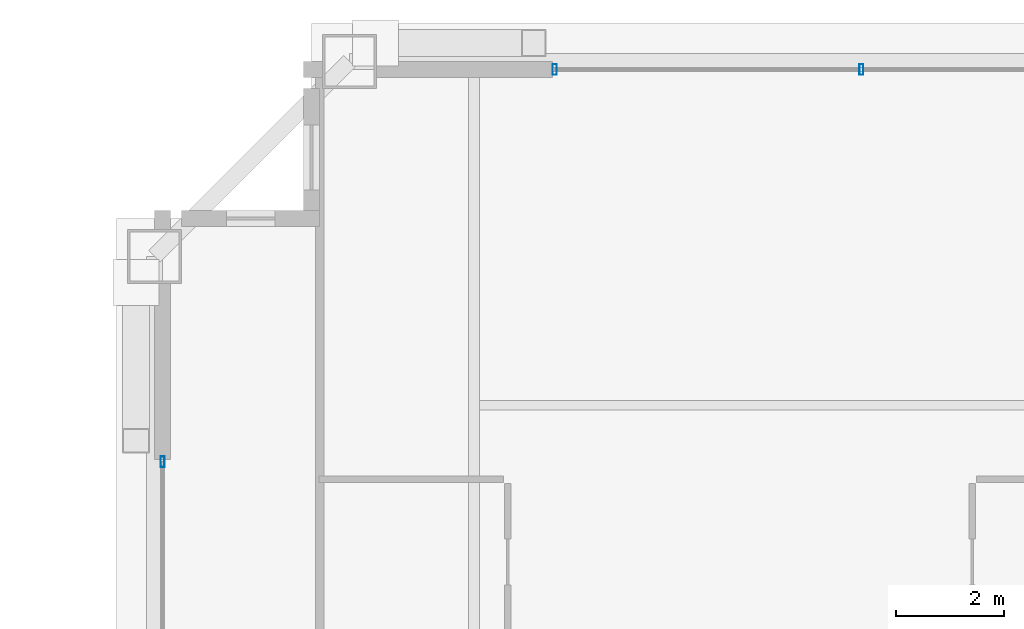
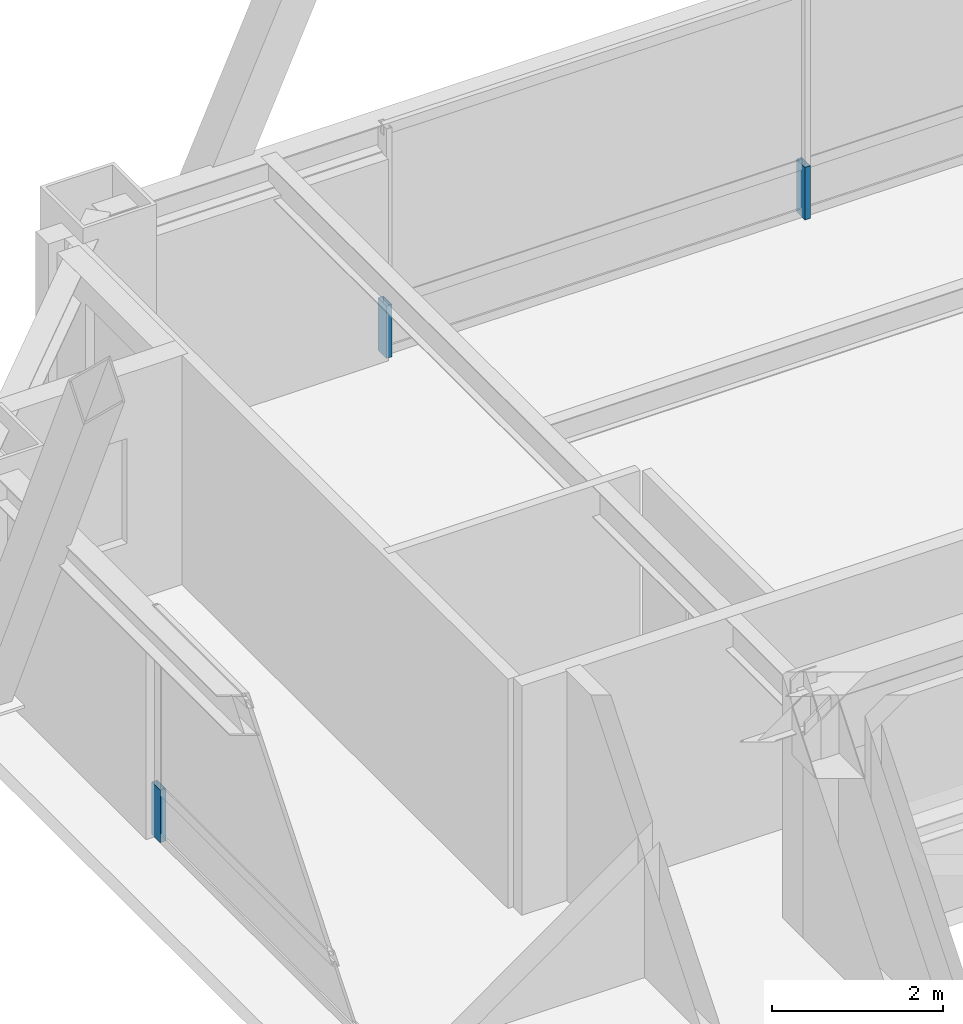
# One storey, part 24 of 33: 3 members, 2 elements without a shape of their own.
"""IFC4 building model written with IfcOpenShell, lengths in metres."""

import ifcopenshell
import ifcopenshell.guid

model = None  # the IFC model being written
_history = None  # IfcOwnerHistory: only IFC2X3 demands one
_inside = {}  # id of a spatial element -> (the spatial element, [elements in it])
_under = {}  # id of a project, library or spatial element -> (it, [spatial elements below it])
_declared = {}  # id of a project -> (the project, [libraries it declares])
_typed = {}  # id of a type object -> (the type object, [elements of that type])
_made_of = {}  # id of a material, layer set ... -> (it, [elements and type objects made of it])


def new_model(schema):
    """Start an empty IFC model of exactly this schema.

    Asked for "IFC4X3", IfcOpenShell would pick the latest addendum, in which some entities
    have other attributes; the version numbers below select the first issue.
    IFC2X3 requires an IfcOwnerHistory on every rooted entity: one is made here for all.
    """
    global model, _history
    if schema == "IFC4X3":
        model = ifcopenshell.file(schema_version=(4, 3, 0, 0))
    else:
        model = ifcopenshell.file(schema=schema)
    _inside.clear()
    _under.clear()
    _declared.clear()
    _typed.clear()
    _made_of.clear()
    _history = None
    if model.schema == "IFC2X3":
        org = make("IfcOrganization", Name="unknown")
        user = make(
            "IfcPersonAndOrganization",
            ThePerson=make("IfcPerson", FamilyName="unknown"),
            TheOrganization=org,
        )
        app = make(
            "IfcApplication",
            ApplicationDeveloper=org,
            Version="unknown",
            ApplicationFullName="unknown",
            ApplicationIdentifier="unknown",
        )
        _history = make(
            "IfcOwnerHistory",
            OwningUser=user,
            OwningApplication=app,
            ChangeAction="ADDED",
            CreationDate=0,
        )
    return model


def make(cls, **values):
    """One entity of the class cls with the attributes given. An attribute that is None is left unset."""
    return model.create_entity(
        cls, **{name: value for name, value in values.items() if value is not None}
    )


def rooted(cls, **values):
    """An entity with a GlobalId (a new one), such as an element, a storey or a relation."""
    return make(cls, GlobalId=ifcopenshell.guid.new(), OwnerHistory=_history, **values)


def si_unit(unit_type, name, prefix=None):
    """IfcSIUnit, for example si_unit("LENGTHUNIT", "METRE", prefix="MILLI")."""
    return make("IfcSIUnit", UnitType=unit_type, Prefix=prefix, Name=name)


def assignment(units):
    """IfcUnitAssignment: the units of a project."""
    return None if units is None else make("IfcUnitAssignment", Units=units)


def point(xyz):
    """IfcCartesianPoint."""
    return None if xyz is None else make("IfcCartesianPoint", Coordinates=xyz)


def direction(xyz):
    """IfcDirection."""
    return None if xyz is None else make("IfcDirection", DirectionRatios=xyz)


def frame(location, z_axis=None, x_axis=None):
    """IfcAxis2Placement3D, a coordinate frame: its origin and axes. An axis left out is left unset."""
    return make(
        "IfcAxis2Placement3D",
        Location=point(location),
        Axis=direction(z_axis),
        RefDirection=direction(x_axis),
    )


def frame_2d(location, x_axis=None):
    """IfcAxis2Placement2D, a coordinate frame in the plane: its origin and x axis."""
    return make(
        "IfcAxis2Placement2D", Location=point(location), RefDirection=direction(x_axis)
    )


def origin():
    """The frame at (0, 0, 0) with its axes left unset."""
    return frame((0.0, 0.0, 0.0))


def origin_2d():
    """The frame at (0, 0) in the plane with its x axis left unset."""
    return frame_2d((0.0, 0.0))


def place(relative_to, where):
    """IfcLocalPlacement: puts the frame where relative to a parent placement (None: the world)."""
    return make(
        "IfcLocalPlacement", PlacementRelTo=relative_to, RelativePlacement=where
    )


def context(
    kind, dimensions, precision=None, world=None, true_north=None, identifier=None
):
    """IfcGeometricRepresentationContext, for example the 3D "Model" context."""
    return make(
        "IfcGeometricRepresentationContext",
        ContextIdentifier=identifier,
        ContextType=kind,
        CoordinateSpaceDimension=dimensions,
        Precision=precision,
        WorldCoordinateSystem=world,
        TrueNorth=true_north,
    )


def subcontext(parent, identifier, kind, view, scale=None):
    """IfcGeometricRepresentationSubContext, for example "Body" below "Model"."""
    return make(
        "IfcGeometricRepresentationSubContext",
        ContextIdentifier=identifier,
        ContextType=kind,
        ParentContext=parent,
        TargetScale=scale,
        TargetView=view,
    )


def project(units=None, contexts=None):
    """IfcProject with its units and contexts."""
    return rooted(
        "IfcProject",
        Name="project",
        RepresentationContexts=contexts,
        UnitsInContext=assignment(units),
    )


def spatial(cls, under=None, at=None, **own):
    """A site, building, storey or space (cls), placed at a placement, below another one or the project."""
    s = rooted(cls, ObjectPlacement=at, **own)
    if under is not None:
        _under.setdefault(under.id(), (under, []))[1].append(s)
    return s


def profile(cls, at=None, kind="AREA", **sizes):
    """A parametric profile (cls). Its sizes go by their IFC names, for example OverallWidth=200.0."""
    return make(cls, ProfileType=kind, Position=at, **sizes)


def hollow_rectangle(**sizes):
    """IfcRectangleHollowProfileDef."""
    return profile("IfcRectangleHollowProfileDef", **sizes)


def extrude(swept, where, along, depth):
    """IfcExtrudedAreaSolid: the profile swept, set in the frame where, extruded along a direction by depth."""
    return make(
        "IfcExtrudedAreaSolid",
        SweptArea=swept,
        Position=where,
        ExtrudedDirection=direction(along),
        Depth=depth,
    )


def shape(context_of_items, identifier, shape_type, items):
    """IfcShapeRepresentation: the items that make up one representation, for example the "Body"."""
    return make(
        "IfcShapeRepresentation",
        ContextOfItems=context_of_items,
        RepresentationIdentifier=identifier,
        RepresentationType=shape_type,
        Items=items,
    )


def source(mapping_origin, context_of_items, identifier, shape_type, items):
    """IfcRepresentationMap: a shape defined once, which mapped items show again and again."""
    return make(
        "IfcRepresentationMap",
        MappingOrigin=mapping_origin,
        MappedRepresentation=shape(context_of_items, identifier, shape_type, items),
    )


def transform(
    local_origin,
    x_axis=None,
    y_axis=None,
    z_axis=None,
    scale=None,
    scale2=None,
    scale3=None,
    uniform=True,
):
    """IfcCartesianTransformationOperator3D, or its non-uniform kind. x_axis, y_axis, z_axis: its Axis1, 2, 3."""
    if uniform:
        return make(
            "IfcCartesianTransformationOperator3D",
            Axis1=direction(x_axis),
            Axis2=direction(y_axis),
            LocalOrigin=point(local_origin),
            Scale=scale,
            Axis3=direction(z_axis),
        )
    return make(
        "IfcCartesianTransformationOperator3DnonUniform",
        Axis1=direction(x_axis),
        Axis2=direction(y_axis),
        LocalOrigin=point(local_origin),
        Scale=scale,
        Axis3=direction(z_axis),
        Scale2=scale2,
        Scale3=scale3,
    )


def mapped(mapping_source, mapping_target):
    """IfcMappedItem: shows the shape of a source again, moved by a transform."""
    return make(
        "IfcMappedItem", MappingSource=mapping_source, MappingTarget=mapping_target
    )


def material(Name=None, Category=None):
    """IfcMaterial."""
    return make("IfcMaterial", Name=Name, Category=Category)


def layer(
    of_material, thickness, ventilated=None, Name=None, Category=None, Priority=None
):
    """IfcMaterialLayer: one layer of a wall or slab, of a material (None: an air gap)."""
    return make(
        "IfcMaterialLayer",
        Material=of_material,
        LayerThickness=thickness,
        IsVentilated=ventilated,
        Name=Name,
        Category=Category,
        Priority=Priority,
    )


def layer_set(layers, Name=None):
    """IfcMaterialLayerSet."""
    return make("IfcMaterialLayerSet", MaterialLayers=layers, LayerSetName=Name)


def material_profile(
    of_material, cross_section, Name=None, Category=None, Priority=None
):
    """IfcMaterialProfile: a cross section and its material."""
    return make(
        "IfcMaterialProfile",
        Name=Name,
        Material=of_material,
        Profile=cross_section,
        Priority=Priority,
        Category=Category,
    )


def profile_set(profiles, Name=None, composite=None):
    """IfcMaterialProfileSet."""
    return make(
        "IfcMaterialProfileSet",
        Name=Name,
        MaterialProfiles=profiles,
        CompositeProfile=composite,
    )


def made_of(thing, what):
    """Note that an element or type object is made of a material, layer set ...; save() writes the relation."""
    if what is not None:
        _made_of.setdefault(what.id(), (what, []))[1].append(thing)
    return thing


def type_object(cls, material=None, **own):
    """A type object (cls), such as IfcWallType, which elements share."""
    return made_of(rooted(cls, **own), material)


def element(
    cls,
    number,
    at=None,
    inside=None,
    cuts=None,
    type_object=None,
    material=None,
    context=None,
    identifier="Body",
    shape_type=None,
    held_by="IfcProductDefinitionShape",
    body=None,
    shapes=None,
    **own,
):
    """One element of the class cls, such as IfcWall. Its Tag is "e" and its number.

    at: its placement. inside: the storey or other place that contains it. cuts: it is an
    opening in that element (IfcRelVoidsElement). A single representation is given by context,
    identifier, shape_type and body (its items); several are given by shapes. held_by: the class
    of the entity that holds the representations. save() writes the other relations.
    """
    e = rooted(cls, Tag="e%d" % number, ObjectPlacement=at, **own)
    if body is not None:
        shapes = [shape(context, identifier, shape_type, body)]
    if shapes is not None:
        e.Representation = make(held_by, Representations=shapes)
    if inside is not None:
        _inside.setdefault(inside.id(), (inside, []))[1].append(e)
    if cuts is not None:
        rooted(
            "IfcRelVoidsElement", RelatingBuildingElement=cuts, RelatedOpeningElement=e
        )
    if type_object is not None:
        _typed.setdefault(type_object.id(), (type_object, []))[1].append(e)
    return made_of(e, material)


def aggregate(whole, parts):
    """IfcRelAggregates: a whole, such as a stair, and the parts it consists of."""
    return rooted("IfcRelAggregates", RelatingObject=whole, RelatedObjects=parts)


def save(model, path):
    """Write the relations noted so far, then the file.

    IfcRelAggregates (storeys below a building ...), IfcRelContainedInSpatialStructure (elements
    in a storey), IfcRelDefinesByType, IfcRelAssociatesMaterial and IfcRelDeclares: one each for
    every whole, place, type object, material and project.
    """
    for whole, parts in _under.values():
        aggregate(whole, parts)
    for where, things in _inside.values():
        rooted(
            "IfcRelContainedInSpatialStructure",
            RelatedElements=things,
            RelatingStructure=where,
        )
    for kind, things in _typed.values():
        rooted("IfcRelDefinesByType", RelatedObjects=things, RelatingType=kind)
    for what, things in _made_of.values():
        rooted("IfcRelAssociatesMaterial", RelatedObjects=things, RelatingMaterial=what)
    for by, libraries in _declared.values():
        rooted("IfcRelDeclares", RelatingContext=by, RelatedDefinitions=libraries)
    model.write(path)


model = new_model("IFC4")

# Units and contexts
model_context = context("Model", 3, precision=1e-05, world=origin(), true_north=direction((0.0, 1.0)))
body_context = subcontext(model_context, "Body", "Model", "MODEL_VIEW")
ifc_project = project(units=[si_unit("LENGTHUNIT", "METRE"), si_unit("AREAUNIT", "SQUARE_METRE"), si_unit("VOLUMEUNIT", "CUBIC_METRE"), si_unit("PLANEANGLEUNIT", "RADIAN"), si_unit("MASSUNIT", "GRAM", prefix="KILO"), si_unit("THERMODYNAMICTEMPERATUREUNIT", "KELVIN"), si_unit("POWERUNIT", "WATT")], contexts=[model_context])

# Site, building, storey
site_placement = place(None, origin())
site = spatial("IfcSite", under=ifc_project, at=site_placement, CompositionType="ELEMENT")
building_placement = place(site_placement, origin())
building = spatial("IfcBuilding", under=site, at=building_placement, Name="Yuzanri Waterfront Tower", CompositionType="ELEMENT")
storey_placement = place(building_placement, frame((0.0, 0.0, 321.699951171875)))
storey = spatial("IfcBuildingStorey", under=building, at=storey_placement, Name="L86", CompositionType="ELEMENT", Elevation=321.699951171875)

# Curtain wall, members
ifc_material_1 = material(Name="Anodized Architectural Bronze", Category="metal")
ifc_layer = layer(ifc_material_1, 0.159912109375)
ifc_layer_set = layer_set([ifc_layer], Name="Anodized Architectural Bronze")
curtain_wall_type = type_object("IfcCurtainWallType", Name="Anodized Bronze High-Rise Penthouse High-Wind Unitized Curtain Wall 6900", PredefinedType="NOTDEFINED", material=ifc_layer_set)
curtain_wall_1_placement = place(storey_placement, origin())
curtain_wall_1 = element("IfcCurtainWall", 1, at=curtain_wall_1_placement, inside=storey, type_object=curtain_wall_type, Name="L86 Curtain Wall CW-L86-NL", PredefinedType="NOTDEFINED")
ifc_material_2 = material(Name="Anodized Architectural Bronze", Category="metal")
ifc_material_profile = material_profile(ifc_material_2, hollow_rectangle(XDim=0.074951171875, YDim=0.199951171875, WallThickness=0.00390625, at=origin_2d()), Name="CWM 75x200")
ifc_profile_set = profile_set([ifc_material_profile], Name="Anodized Architectural Bronze")
member_type = type_object("IfcMemberType", Name="Anodized Bronze Primary Curtain-Wall Mullion 75x200", PredefinedType="MULLION", material=ifc_profile_set)
shared_shape = source(origin(), body_context, "Body", "SweptSolid", [
    extrude(hollow_rectangle(XDim=0.074951171875, YDim=0.199951171875, WallThickness=0.00390625, at=origin_2d()), origin(), (0.0, 0.0, 1.0), 0.751953125),
])
member_1_placement = place(storey_placement, frame((25.2900390625, 44.75, 0.0), z_axis=(0.0, 0.0, 1.0), x_axis=(1.0, 0.0, 0.0)))
member_1 = element("IfcMember", 2, at=member_1_placement, type_object=member_type, Name="CW-L86-NL Lower Mullion 00", PredefinedType="MULLION", context=body_context, shape_type="MappedRepresentation", body=[
    mapped(shared_shape, transform((0.0, 0.0, 0.0), scale=1.0)),
])
member_2_placement = place(storey_placement, frame((30.949951171875, 44.75, 0.0), z_axis=(0.0, 0.0, 1.0), x_axis=(1.0, 0.0, 0.0)))
member_2 = element("IfcMember", 3, at=member_2_placement, type_object=member_type, Name="CW-L86-NL Lower Mullion 01", PredefinedType="MULLION", context=body_context, shape_type="MappedRepresentation", body=[
    mapped(shared_shape, transform((0.0, 0.0, 0.0), scale=1.0)),
])
aggregate(curtain_wall_1, [member_1, member_2])

# Curtain wall, member
curtain_wall_2_placement = place(storey_placement, origin())
curtain_wall_2 = element("IfcCurtainWall", 4, at=curtain_wall_2_placement, inside=storey, type_object=curtain_wall_type, Name="L86 Curtain Wall CW-L86-WR", PredefinedType="NOTDEFINED")
member_3_placement = place(storey_placement, frame((18.050048828125, 37.510009765625, 0.0), z_axis=(0.0, 0.0, 1.0), x_axis=(1.0, 0.0, 0.0)))
member_3 = element("IfcMember", 5, at=member_3_placement, type_object=member_type, Name="CW-L86-WR Lower Mullion 02", PredefinedType="MULLION", context=body_context, shape_type="MappedRepresentation", body=[
    mapped(shared_shape, transform((0.0, 0.0, 0.0), scale=1.0)),
])
aggregate(curtain_wall_2, [member_3])

save(model, "model.ifc")
